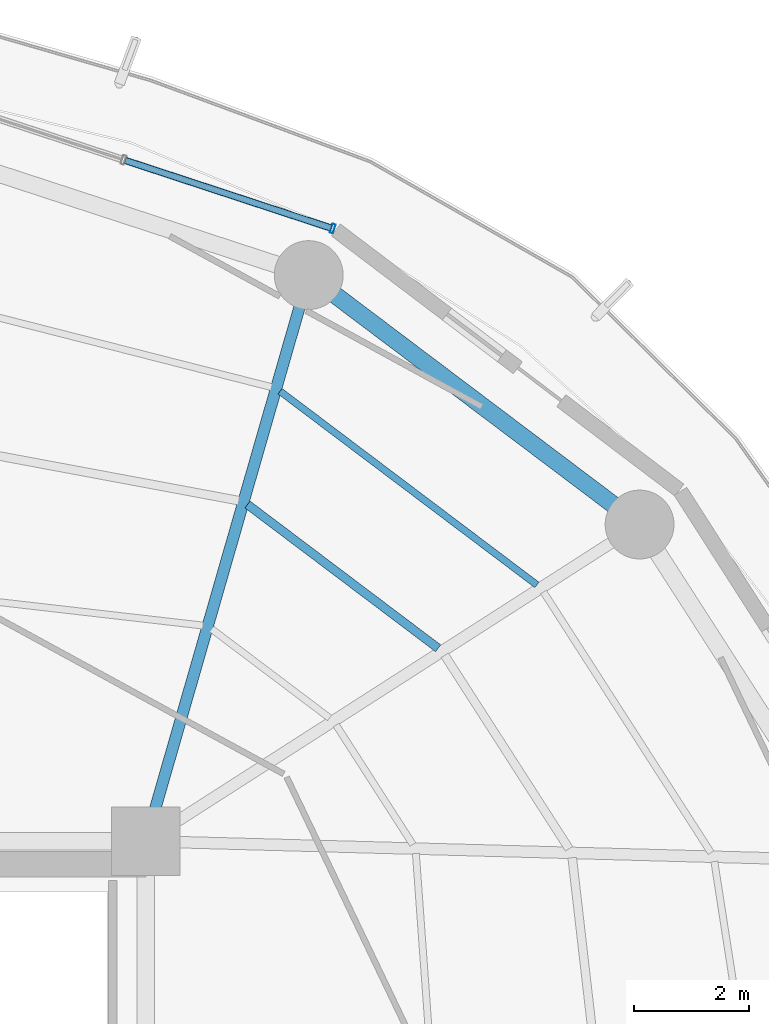
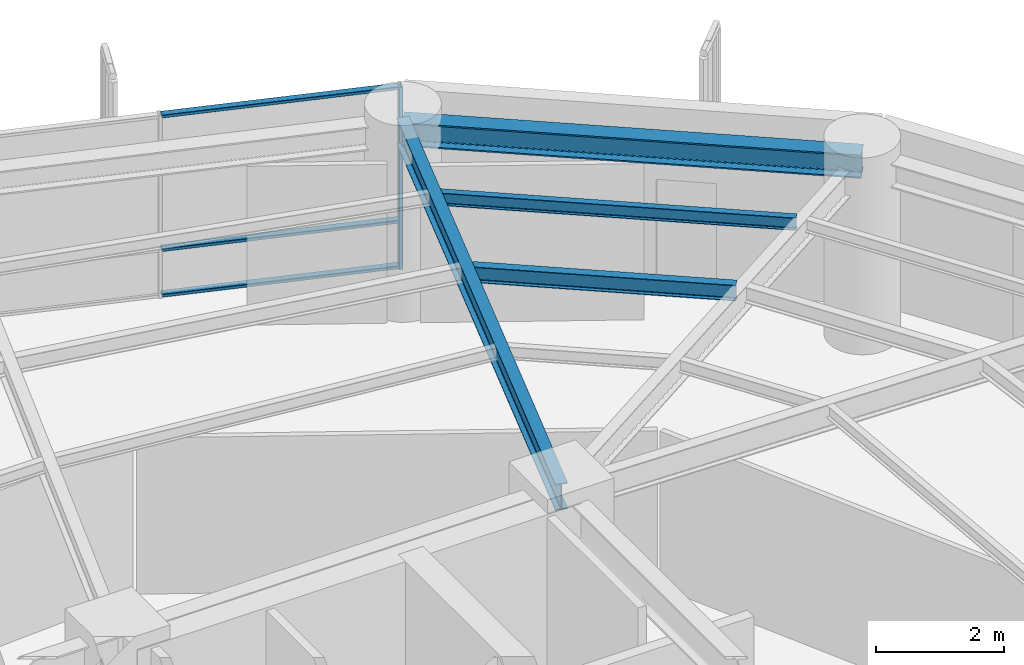
# One storey, part 19 of 29: 4 beams, 4 members, 1 element without a shape of its own.
"""IFC4 building model written with IfcOpenShell, lengths in metres."""

from ifc_helpers import new_model, si_unit, direction, frame, origin, origin_2d, place, context, subcontext, project, spatial, hollow_rectangle, i_section, extrude, material, layer, layer_set, material_profile, profile_set, type_object, element, aggregate, save


model = new_model("IFC4")

# Units and contexts
model_context = context("Model", 3, precision=1e-05, world=origin(), true_north=direction((0.0, 1.0)))
body_context = subcontext(model_context, "Body", "Model", "MODEL_VIEW")
ifc_project = project(units=[si_unit("LENGTHUNIT", "METRE"), si_unit("AREAUNIT", "SQUARE_METRE"), si_unit("VOLUMEUNIT", "CUBIC_METRE"), si_unit("PLANEANGLEUNIT", "RADIAN"), si_unit("MASSUNIT", "GRAM", prefix="KILO")], contexts=[model_context])

# Site, building, storey
site_placement = place(None, origin())
site = spatial("IfcSite", under=ifc_project, at=site_placement, CompositionType="ELEMENT")
building_placement = place(site_placement, origin())
building = spatial("IfcBuilding", under=site, at=building_placement, Name="Kelanora Arch Commons", CompositionType="ELEMENT")
storey_placement = place(building_placement, frame((0.0, 0.0, 135.60009765625)))
storey = spatial("IfcBuildingStorey", under=building, at=storey_placement, Name="L34", CompositionType="ELEMENT", Elevation=135.60009765625)

# Beams
ifc_material_1 = material(Name="Steel S355", Category="steel")
ifc_material_profile_1 = material_profile(ifc_material_1, i_section(OverallWidth=0.14990234375, OverallDepth=0.300048828125, WebThickness=0.007080078125, FlangeThickness=0.0107421875, FilletRadius=0.014892578125, at=origin_2d()), Name="IPE300")
ifc_profile_set_1 = profile_set([ifc_material_profile_1], Name="Steel S355")
beam_type_1 = type_object("IfcBeamType", Name="BM-JST-01", PredefinedType="JOIST", material=ifc_profile_set_1)
beam_1_placement = place(storey_placement, frame((87.0966796875, 68.364013671875, 3.33984375), z_axis=(-0.798463547891, 0.602043156833, 0.0), x_axis=(-0.602043156833, -0.798463547891, 0.0)))
element("IfcBeam", 1, at=beam_1_placement, inside=storey, type_object=beam_type_1, Name="Secondary Chord Joist BJB-04 L34", PredefinedType="JOIST", context=body_context, shape_type="SweptSolid", body=[
    extrude(i_section(OverallWidth=0.14990234375, OverallDepth=0.300048828125, WebThickness=0.007080078125, FlangeThickness=0.0107421875, FilletRadius=0.014892578125, at=origin_2d()), origin(), (0.0, 0.0, 1.0), 4.163818359375),
])
ifc_material_profile_2 = material_profile(ifc_material_1, i_section(OverallWidth=0.1201171875, OverallDepth=0.239990234375, WebThickness=0.006103515625, FlangeThickness=0.009765625, FilletRadius=0.014892578125, at=origin_2d()), Name="IPE240")
ifc_profile_set_2 = profile_set([ifc_material_profile_2], Name="Steel S355")
beam_type_2 = type_object("IfcBeamType", Name="BM-JST-02", PredefinedType="JOIST", material=ifc_profile_set_2)
beam_2_placement = place(storey_placement, frame((88.818359375, 69.468505859375, 3.369873046875), z_axis=(-0.798493128577, 0.602003923256, 0.0), x_axis=(-0.602003923256, -0.798493128577, 0.0)))
element("IfcBeam", 2, at=beam_2_placement, inside=storey, type_object=beam_type_2, Name="Secondary Chord Joist BJC-04 L34", PredefinedType="JOIST", context=body_context, shape_type="SweptSolid", body=[
    extrude(i_section(OverallWidth=0.1201171875, OverallDepth=0.239990234375, WebThickness=0.006103515625, FlangeThickness=0.009765625, FilletRadius=0.014892578125, at=origin_2d()), origin(), (0.0, 0.0, 1.0), 5.608642578125),
])
ifc_material_profile_3 = material_profile(ifc_material_1, i_section(OverallWidth=0.199951171875, OverallDepth=0.5, WebThickness=0.01025390625, FlangeThickness=0.01611328125, FilletRadius=0.02099609375, at=origin_2d()), Name="IPE500")
ifc_profile_set_3 = profile_set([ifc_material_profile_3], Name="Steel S355")
beam_type_3 = type_object("IfcBeamType", Name="BM-RAD-Z3", PredefinedType="BEAM", material=ifc_profile_set_3)
beam_3_placement = place(storey_placement, frame((82.0, 65.0, 3.239990234375), z_axis=(0.276525880065, 0.961006471182, 0.0), x_axis=(-0.961006471182, 0.276525880065, 0.0)))
element("IfcBeam", 3, at=beam_3_placement, inside=storey, type_object=beam_type_3, Name="Radial Floor Girder BR-06 L34", PredefinedType="BEAM", context=body_context, shape_type="SweptSolid", body=[
    extrude(i_section(OverallWidth=0.199951171875, OverallDepth=0.5, WebThickness=0.01025390625, FlangeThickness=0.01611328125, FilletRadius=0.02099609375, at=origin_2d()), origin(), (0.0, 0.0, 1.0), 10.2705078125),
])
ifc_material_profile_4 = material_profile(ifc_material_1, i_section(OverallWidth=0.300048828125, OverallDepth=0.449951171875, WebThickness=0.013916015625, FlangeThickness=0.02587890625, FilletRadius=0.027099609375, at=origin_2d()), Name="HEB450")
ifc_profile_set_4 = profile_set([ifc_material_profile_4], Name="Steel S355")
beam_type_4 = type_object("IfcBeamType", Name="BM-SPN-Z3", PredefinedType="SPANDREL", material=ifc_profile_set_4)
beam_4_placement = place(storey_placement, frame((90.60791015625, 70.521484375, 3.264892578125), z_axis=(-0.798484645564, 0.60201517489, 0.0), x_axis=(-0.60201517489, -0.798484645564, 0.0)))
element("IfcBeam", 4, at=beam_4_placement, inside=storey, type_object=beam_type_4, Name="Perimeter Spandrel Beam BS-04 L34", PredefinedType="SPANDREL", context=body_context, shape_type="SweptSolid", body=[
    extrude(i_section(OverallWidth=0.300048828125, OverallDepth=0.449951171875, WebThickness=0.013916015625, FlangeThickness=0.02587890625, FilletRadius=0.027099609375, at=origin_2d()), origin(), (0.0, 0.0, 1.0), 7.223388671875),
])

# Curtain wall, members
ifc_material_2 = material(Name="Terracotta ceramic-fritted low-E glass and aluminium", Category="masonry")
ifc_layer = layer(ifc_material_2, 0.175048828125)
ifc_layer_set = layer_set([ifc_layer], Name="Terracotta ceramic-fritted low-E glass and aluminium")
curtain_wall_type = type_object("IfcCurtainWallType", Name="CW-SYS-02", PredefinedType="NOTDEFINED", material=ifc_layer_set)
curtain_wall_placement = place(storey_placement, origin())
curtain_wall = element("IfcCurtainWall", 5, at=curtain_wall_placement, inside=storey, type_object=curtain_wall_type, Name="Unitised Curtain Wall L34-B03", PredefinedType="NOTDEFINED")
ifc_material_3 = material(Name="Powder-coated aluminium terracotta", Category="masonry")
ifc_material_profile_5 = material_profile(ifc_material_3, hollow_rectangle(XDim=0.159912109375, YDim=0.06005859375, WallThickness=0.0048828125, InnerFilletRadius=0.0048828125, OuterFilletRadius=0.010009765625, at=origin_2d()), Name="CWM160x60")
ifc_profile_set_5 = profile_set([ifc_material_profile_5], Name="Powder-coated aluminium terracotta")
member_type_1 = type_object("IfcMemberType", Name="CWM-STD", PredefinedType="MULLION", material=ifc_profile_set_5)
member_1_placement = place(storey_placement, frame((85.257080078125, 75.680908203125, 0.0), z_axis=(0.0, 0.0, 1.0), x_axis=(-0.312128279571, -0.95003996605, 0.0)))
member_1 = element("IfcMember", 6, at=member_1_placement, type_object=member_type_1, Name="CW-02 mullion 1", PredefinedType="MULLION", context=body_context, shape_type="SweptSolid", body=[
    extrude(hollow_rectangle(XDim=0.159912109375, YDim=0.06005859375, WallThickness=0.0048828125, InnerFilletRadius=0.0048828125, OuterFilletRadius=0.010009765625, at=origin_2d()), origin(), (0.0, 0.0, 1.0), 3.474853515625),
])
ifc_material_profile_6 = material_profile(ifc_material_3, hollow_rectangle(XDim=0.1201171875, YDim=0.06005859375, WallThickness=0.0048828125, InnerFilletRadius=0.0048828125, OuterFilletRadius=0.010009765625, at=origin_2d()), Name="CWT120x60")
ifc_profile_set_6 = profile_set([ifc_material_profile_6], Name="Powder-coated aluminium terracotta")
member_type_2 = type_object("IfcMemberType", Name="CWT-STD", PredefinedType="USERDEFINED", material=ifc_profile_set_6)
member_2_placement = place(storey_placement, frame((85.228759765625, 75.6904296875, 0.02978515625), z_axis=(-0.950051191155, 0.312094111104, 0.0), x_axis=(-0.312094111104, -0.950051191155, 0.0)))
member_2 = element("IfcMember", 7, at=member_2_placement, type_object=member_type_2, Name="CW-02 transom 1.1", ObjectType="TRANSOM", PredefinedType="USERDEFINED", context=body_context, shape_type="SweptSolid", body=[
    extrude(hollow_rectangle(XDim=0.1201171875, YDim=0.06005859375, WallThickness=0.0048828125, InnerFilletRadius=0.0048828125, OuterFilletRadius=0.010009765625, at=origin_2d()), origin(), (0.0, 0.0, 1.0), 3.77685546875),
])
member_3_placement = place(storey_placement, frame((85.228759765625, 75.6904296875, 0.89990234375), z_axis=(-0.950051191155, 0.312094111104, 0.0), x_axis=(-0.312094111104, -0.950051191155, 0.0)))
member_3 = element("IfcMember", 8, at=member_3_placement, type_object=member_type_2, Name="CW-02 transom 1.2", ObjectType="TRANSOM", PredefinedType="USERDEFINED", context=body_context, shape_type="SweptSolid", body=[
    extrude(hollow_rectangle(XDim=0.1201171875, YDim=0.06005859375, WallThickness=0.0048828125, InnerFilletRadius=0.0048828125, OuterFilletRadius=0.010009765625, at=origin_2d()), origin(), (0.0, 0.0, 1.0), 3.77685546875),
])
member_4_placement = place(storey_placement, frame((85.228759765625, 75.6904296875, 3.44482421875), z_axis=(-0.950051191155, 0.312094111104, 0.0), x_axis=(-0.312094111104, -0.950051191155, 0.0)))
member_4 = element("IfcMember", 9, at=member_4_placement, type_object=member_type_2, Name="CW-02 transom 1.3", ObjectType="TRANSOM", PredefinedType="USERDEFINED", context=body_context, shape_type="SweptSolid", body=[
    extrude(hollow_rectangle(XDim=0.1201171875, YDim=0.06005859375, WallThickness=0.0048828125, InnerFilletRadius=0.0048828125, OuterFilletRadius=0.010009765625, at=origin_2d()), origin(), (0.0, 0.0, 1.0), 3.77685546875),
])
aggregate(curtain_wall, [member_1, member_2, member_3, member_4])

save(model, "model.ifc")
